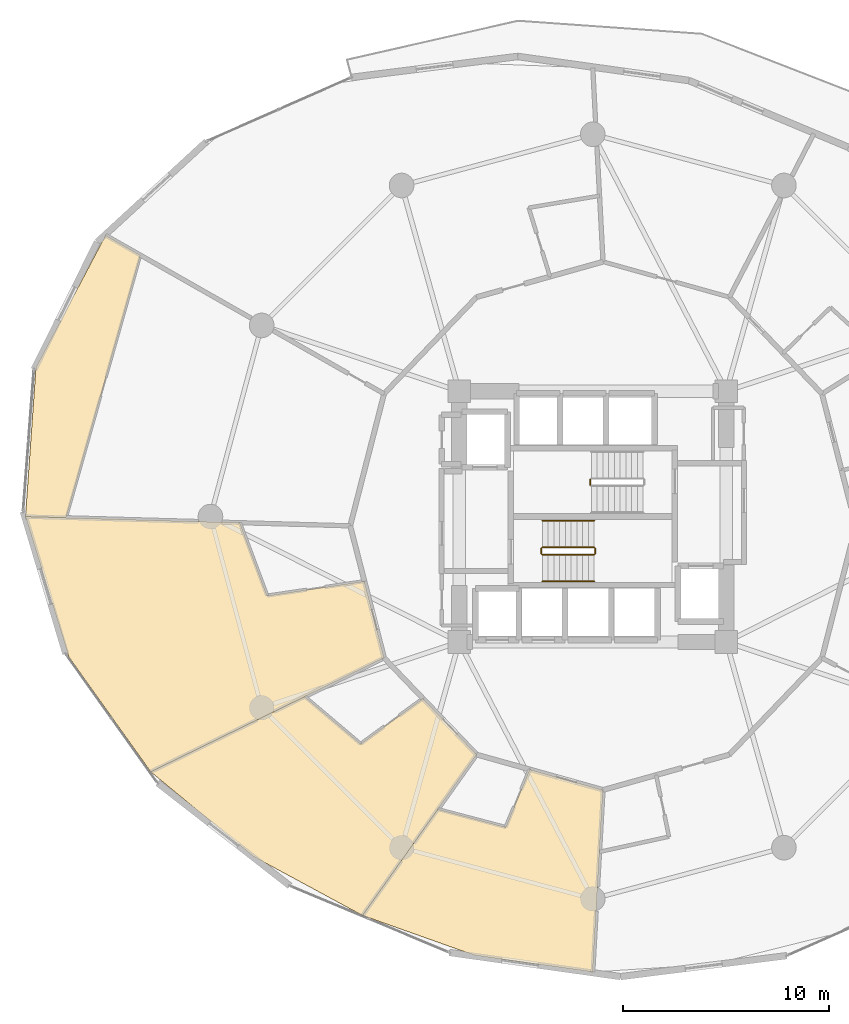
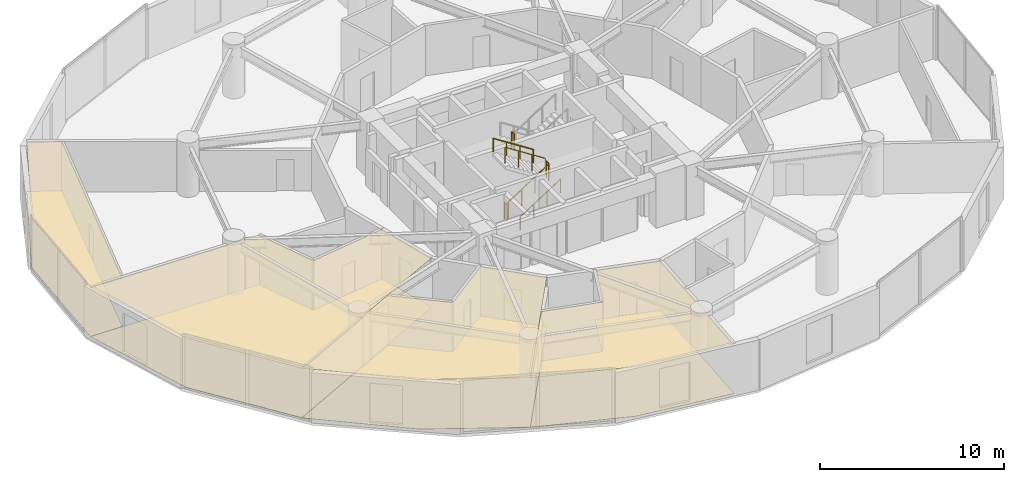
# One storey, part 23 of 25: 8 coverings, 7 railings.
"""IFC4 building model written with IfcOpenShell, lengths in metres."""

import ifcopenshell
import ifcopenshell.guid

model = None  # the IFC model being written
_history = None  # IfcOwnerHistory: only IFC2X3 demands one
_inside = {}  # id of a spatial element -> (the spatial element, [elements in it])
_under = {}  # id of a project, library or spatial element -> (it, [spatial elements below it])
_declared = {}  # id of a project -> (the project, [libraries it declares])
_typed = {}  # id of a type object -> (the type object, [elements of that type])
_made_of = {}  # id of a material, layer set ... -> (it, [elements and type objects made of it])


def new_model(schema):
    """Start an empty IFC model of exactly this schema.

    Asked for "IFC4X3", IfcOpenShell would pick the latest addendum, in which some entities
    have other attributes; the version numbers below select the first issue.
    IFC2X3 requires an IfcOwnerHistory on every rooted entity: one is made here for all.
    """
    global model, _history
    if schema == "IFC4X3":
        model = ifcopenshell.file(schema_version=(4, 3, 0, 0))
    else:
        model = ifcopenshell.file(schema=schema)
    _inside.clear()
    _under.clear()
    _declared.clear()
    _typed.clear()
    _made_of.clear()
    _history = None
    if model.schema == "IFC2X3":
        org = make("IfcOrganization", Name="unknown")
        user = make(
            "IfcPersonAndOrganization",
            ThePerson=make("IfcPerson", FamilyName="unknown"),
            TheOrganization=org,
        )
        app = make(
            "IfcApplication",
            ApplicationDeveloper=org,
            Version="unknown",
            ApplicationFullName="unknown",
            ApplicationIdentifier="unknown",
        )
        _history = make(
            "IfcOwnerHistory",
            OwningUser=user,
            OwningApplication=app,
            ChangeAction="ADDED",
            CreationDate=0,
        )
    return model


def make(cls, **values):
    """One entity of the class cls with the attributes given. An attribute that is None is left unset."""
    return model.create_entity(
        cls, **{name: value for name, value in values.items() if value is not None}
    )


def rooted(cls, **values):
    """An entity with a GlobalId (a new one), such as an element, a storey or a relation."""
    return make(cls, GlobalId=ifcopenshell.guid.new(), OwnerHistory=_history, **values)


def si_unit(unit_type, name, prefix=None):
    """IfcSIUnit, for example si_unit("LENGTHUNIT", "METRE", prefix="MILLI")."""
    return make("IfcSIUnit", UnitType=unit_type, Prefix=prefix, Name=name)


def assignment(units):
    """IfcUnitAssignment: the units of a project."""
    return None if units is None else make("IfcUnitAssignment", Units=units)


def point(xyz):
    """IfcCartesianPoint."""
    return None if xyz is None else make("IfcCartesianPoint", Coordinates=xyz)


def direction(xyz):
    """IfcDirection."""
    return None if xyz is None else make("IfcDirection", DirectionRatios=xyz)


def frame(location, z_axis=None, x_axis=None):
    """IfcAxis2Placement3D, a coordinate frame: its origin and axes. An axis left out is left unset."""
    return make(
        "IfcAxis2Placement3D",
        Location=point(location),
        Axis=direction(z_axis),
        RefDirection=direction(x_axis),
    )


def frame_2d(location, x_axis=None):
    """IfcAxis2Placement2D, a coordinate frame in the plane: its origin and x axis."""
    return make(
        "IfcAxis2Placement2D", Location=point(location), RefDirection=direction(x_axis)
    )


def origin():
    """The frame at (0, 0, 0) with its axes left unset."""
    return frame((0.0, 0.0, 0.0))


def origin_2d():
    """The frame at (0, 0) in the plane with its x axis left unset."""
    return frame_2d((0.0, 0.0))


def place(relative_to, where):
    """IfcLocalPlacement: puts the frame where relative to a parent placement (None: the world)."""
    return make(
        "IfcLocalPlacement", PlacementRelTo=relative_to, RelativePlacement=where
    )


def context(
    kind, dimensions, precision=None, world=None, true_north=None, identifier=None
):
    """IfcGeometricRepresentationContext, for example the 3D "Model" context."""
    return make(
        "IfcGeometricRepresentationContext",
        ContextIdentifier=identifier,
        ContextType=kind,
        CoordinateSpaceDimension=dimensions,
        Precision=precision,
        WorldCoordinateSystem=world,
        TrueNorth=true_north,
    )


def subcontext(parent, identifier, kind, view, scale=None):
    """IfcGeometricRepresentationSubContext, for example "Body" below "Model"."""
    return make(
        "IfcGeometricRepresentationSubContext",
        ContextIdentifier=identifier,
        ContextType=kind,
        ParentContext=parent,
        TargetScale=scale,
        TargetView=view,
    )


def project(units=None, contexts=None):
    """IfcProject with its units and contexts."""
    return rooted(
        "IfcProject",
        Name="project",
        RepresentationContexts=contexts,
        UnitsInContext=assignment(units),
    )


def spatial(cls, under=None, at=None, **own):
    """A site, building, storey or space (cls), placed at a placement, below another one or the project."""
    s = rooted(cls, ObjectPlacement=at, **own)
    if under is not None:
        _under.setdefault(under.id(), (under, []))[1].append(s)
    return s


def polyline(points):
    """IfcPolyline through the points."""
    return make("IfcPolyline", Points=[point(p) for p in points])


def profile(cls, at=None, kind="AREA", **sizes):
    """A parametric profile (cls). Its sizes go by their IFC names, for example OverallWidth=200.0."""
    return make(cls, ProfileType=kind, Position=at, **sizes)


def circle(**sizes):
    """IfcCircleProfileDef."""
    return profile("IfcCircleProfileDef", **sizes)


def outline(outer, holes=None, kind="AREA"):
    """IfcArbitraryClosedProfileDef: a profile drawn as a closed curve; with holes, ...WithVoids."""
    if holes is None:
        return make("IfcArbitraryClosedProfileDef", ProfileType=kind, OuterCurve=outer)
    return make(
        "IfcArbitraryProfileDefWithVoids",
        ProfileType=kind,
        OuterCurve=outer,
        InnerCurves=holes,
    )


def extrude(swept, where, along, depth):
    """IfcExtrudedAreaSolid: the profile swept, set in the frame where, extruded along a direction by depth."""
    return make(
        "IfcExtrudedAreaSolid",
        SweptArea=swept,
        Position=where,
        ExtrudedDirection=direction(along),
        Depth=depth,
    )


def shape(context_of_items, identifier, shape_type, items):
    """IfcShapeRepresentation: the items that make up one representation, for example the "Body"."""
    return make(
        "IfcShapeRepresentation",
        ContextOfItems=context_of_items,
        RepresentationIdentifier=identifier,
        RepresentationType=shape_type,
        Items=items,
    )


def material(Name=None, Category=None):
    """IfcMaterial."""
    return make("IfcMaterial", Name=Name, Category=Category)


def layer(
    of_material, thickness, ventilated=None, Name=None, Category=None, Priority=None
):
    """IfcMaterialLayer: one layer of a wall or slab, of a material (None: an air gap)."""
    return make(
        "IfcMaterialLayer",
        Material=of_material,
        LayerThickness=thickness,
        IsVentilated=ventilated,
        Name=Name,
        Category=Category,
        Priority=Priority,
    )


def layer_set(layers, Name=None):
    """IfcMaterialLayerSet."""
    return make("IfcMaterialLayerSet", MaterialLayers=layers, LayerSetName=Name)


def made_of(thing, what):
    """Note that an element or type object is made of a material, layer set ...; save() writes the relation."""
    if what is not None:
        _made_of.setdefault(what.id(), (what, []))[1].append(thing)
    return thing


def type_object(cls, material=None, **own):
    """A type object (cls), such as IfcWallType, which elements share."""
    return made_of(rooted(cls, **own), material)


def element(
    cls,
    number,
    at=None,
    inside=None,
    cuts=None,
    type_object=None,
    material=None,
    context=None,
    identifier="Body",
    shape_type=None,
    held_by="IfcProductDefinitionShape",
    body=None,
    shapes=None,
    **own,
):
    """One element of the class cls, such as IfcWall. Its Tag is "e" and its number.

    at: its placement. inside: the storey or other place that contains it. cuts: it is an
    opening in that element (IfcRelVoidsElement). A single representation is given by context,
    identifier, shape_type and body (its items); several are given by shapes. held_by: the class
    of the entity that holds the representations. save() writes the other relations.
    """
    e = rooted(cls, Tag="e%d" % number, ObjectPlacement=at, **own)
    if body is not None:
        shapes = [shape(context, identifier, shape_type, body)]
    if shapes is not None:
        e.Representation = make(held_by, Representations=shapes)
    if inside is not None:
        _inside.setdefault(inside.id(), (inside, []))[1].append(e)
    if cuts is not None:
        rooted(
            "IfcRelVoidsElement", RelatingBuildingElement=cuts, RelatedOpeningElement=e
        )
    if type_object is not None:
        _typed.setdefault(type_object.id(), (type_object, []))[1].append(e)
    return made_of(e, material)


def aggregate(whole, parts):
    """IfcRelAggregates: a whole, such as a stair, and the parts it consists of."""
    return rooted("IfcRelAggregates", RelatingObject=whole, RelatedObjects=parts)


def save(model, path):
    """Write the relations noted so far, then the file.

    IfcRelAggregates (storeys below a building ...), IfcRelContainedInSpatialStructure (elements
    in a storey), IfcRelDefinesByType, IfcRelAssociatesMaterial and IfcRelDeclares: one each for
    every whole, place, type object, material and project.
    """
    for whole, parts in _under.values():
        aggregate(whole, parts)
    for where, things in _inside.values():
        rooted(
            "IfcRelContainedInSpatialStructure",
            RelatedElements=things,
            RelatingStructure=where,
        )
    for kind, things in _typed.values():
        rooted("IfcRelDefinesByType", RelatedObjects=things, RelatingType=kind)
    for what, things in _made_of.values():
        rooted("IfcRelAssociatesMaterial", RelatedObjects=things, RelatingMaterial=what)
    for by, libraries in _declared.values():
        rooted("IfcRelDeclares", RelatingContext=by, RelatedDefinitions=libraries)
    model.write(path)


model = new_model("IFC4")

# Units and contexts
model_context = context("Model", 3, precision=1e-05, world=origin(), true_north=direction((0.0, 1.0)))
body_context = subcontext(model_context, "Body", "Model", "MODEL_VIEW")
ifc_project = project(units=[si_unit("LENGTHUNIT", "METRE"), si_unit("AREAUNIT", "SQUARE_METRE"), si_unit("VOLUMEUNIT", "CUBIC_METRE"), si_unit("PLANEANGLEUNIT", "RADIAN"), si_unit("MASSUNIT", "GRAM", prefix="KILO")], contexts=[model_context])

# Site, building, storey
site_placement = place(None, origin())
site = spatial("IfcSite", under=ifc_project, at=site_placement, CompositionType="ELEMENT")
building_placement = place(site_placement, origin())
building = spatial("IfcBuilding", under=site, at=building_placement, Name="Solvirekh Grand Hotel", CompositionType="ELEMENT")
storey_placement = place(building_placement, frame((0.0, 0.0, 60.800048828125)))
storey = spatial("IfcBuildingStorey", under=building, at=storey_placement, Name="L14", CompositionType="ELEMENT", Elevation=60.800048828125)

# Coverings
ifc_material_1 = material(Name="Acoustic Mineral Ceiling Tile")
ifc_layer_1 = layer(ifc_material_1, 0.02490234375)
ifc_layer_set_1 = layer_set([ifc_layer_1], Name="Acoustic Mineral Ceiling Tile")
covering_type_1 = type_object("IfcCoveringType", Name="Cov_Ceiling_Acoustic", PredefinedType="CEILING", material=ifc_layer_set_1)
covering_1_placement = place(storey_placement, frame((0.0, 0.0, 3.2900390625)))
element("IfcCovering", 1, at=covering_1_placement, inside=storey, type_object=covering_type_1, Name="L14 Diplomatic Suite 1601 Master Bedroom acoustic ceiling", PredefinedType="CEILING", context=body_context, shape_type="SweptSolid", body=[
    extrude(outline(polyline([(-23.699951171875, 13.68310546875), (-27.089111328125, 7.259033203125), (-27.597900390625, 0.0), (-25.623046875, -0.055908203125), (-22.006103515625, 12.719970703125), (-23.699951171875, 13.68310546875)])), origin(), (0.0, 0.0, 1.0), 0.017822265625),
])
covering_2_placement = place(storey_placement, frame((0.0, 0.0, 3.2900390625)))
element("IfcCovering", 2, at=covering_2_placement, inside=storey, type_object=covering_type_1, Name="L14 Deluxe Guestroom 1602 acoustic ceiling", PredefinedType="CEILING", context=body_context, shape_type="SweptSolid", body=[
    extrude(outline(polyline([(-15.844970703125, -3.85107421875), (-17.1708984375, -0.297119140625), (-27.597900390625, 0.0), (-25.488037109375, -6.8291015625), (-21.506103515625, -12.416015625), (-10.152099609375, -6.875), (-11.10791015625, -3.14794921875), (-15.844970703125, -3.85107421875)])), origin(), (0.0, 0.0, 1.0), 0.017822265625),
])
covering_3_placement = place(storey_placement, frame((0.0, 0.0, 3.2900390625)))
element("IfcCovering", 3, at=covering_3_placement, inside=storey, type_object=covering_type_1, Name="L14 Deluxe Guestroom 1603 acoustic ceiling", PredefinedType="CEILING", context=body_context, shape_type="SweptSolid", body=[
    extrude(outline(polyline([(-11.29296875, -11.06005859375), (-14.011962890625, -8.759033203125), (-21.506103515625, -12.416015625), (-16.52490234375, -16.52490234375), (-11.201904296875, -19.403076171875), (-5.64990234375, -11.577880859375), (-8.260986328125, -8.85009765625), (-11.29296875, -11.06005859375)])), origin(), (0.0, 0.0, 1.0), 0.017822265625),
])
covering_4_placement = place(storey_placement, frame((0.0, 0.0, 3.2900390625)))
element("IfcCovering", 4, at=covering_4_placement, inside=storey, type_object=covering_type_1, Name="L14 Deluxe Guestroom 1604 acoustic ceiling", PredefinedType="CEILING", context=body_context, shape_type="SweptSolid", body=[
    extrude(outline(polyline([(-4.23291015625, -15.10888671875), (-7.5380859375, -14.238037109375), (-11.201904296875, -19.403076171875), (-5.720947265625, -21.35107421875), (0.0, -22.156005859375), (0.5, -13.300048828125), (-3.06689453125, -12.301025390625), (-4.23291015625, -15.10888671875)])), origin(), (0.0, 0.0, 1.0), 0.017822265625),
])
ifc_material_2 = material(Name="Porcelain Stoneware Flooring", Category="masonry")
ifc_layer_2 = layer(ifc_material_2, 0.030029296875)
ifc_layer_set_2 = layer_set([ifc_layer_2], Name="Porcelain Stoneware Flooring")
covering_type_2 = type_object("IfcCoveringType", Name="Cov_Floor_Stone", PredefinedType="FLOORING", material=ifc_layer_set_2)
covering_5_placement = place(storey_placement, origin())
element("IfcCovering", 5, at=covering_5_placement, inside=storey, type_object=covering_type_2, Name="L14 Diplomatic Suite 1601 Master Bedroom polished granite flooring", PredefinedType="FLOORING", context=body_context, shape_type="SweptSolid", body=[
    extrude(outline(polyline([(-23.699951171875, 13.68310546875), (-27.089111328125, 7.259033203125), (-27.597900390625, 0.0), (-25.623046875, -0.055908203125), (-22.006103515625, 12.719970703125), (-23.699951171875, 13.68310546875)])), origin(), (0.0, 0.0, 1.0), 0.02001953125),
])
covering_6_placement = place(storey_placement, origin())
element("IfcCovering", 6, at=covering_6_placement, inside=storey, type_object=covering_type_2, Name="L14 Deluxe Guestroom 1602 polished granite flooring", PredefinedType="FLOORING", context=body_context, shape_type="SweptSolid", body=[
    extrude(outline(polyline([(-15.844970703125, -3.85107421875), (-17.1708984375, -0.297119140625), (-27.597900390625, 0.0), (-25.488037109375, -6.8291015625), (-21.506103515625, -12.416015625), (-10.152099609375, -6.875), (-11.10791015625, -3.14794921875), (-15.844970703125, -3.85107421875)])), origin(), (0.0, 0.0, 1.0), 0.02001953125),
])
covering_7_placement = place(storey_placement, origin())
element("IfcCovering", 7, at=covering_7_placement, inside=storey, type_object=covering_type_2, Name="L14 Deluxe Guestroom 1603 polished granite flooring", PredefinedType="FLOORING", context=body_context, shape_type="SweptSolid", body=[
    extrude(outline(polyline([(-11.29296875, -11.06005859375), (-14.011962890625, -8.759033203125), (-21.506103515625, -12.416015625), (-16.52490234375, -16.52490234375), (-11.201904296875, -19.403076171875), (-5.64990234375, -11.577880859375), (-8.260986328125, -8.85009765625), (-11.29296875, -11.06005859375)])), origin(), (0.0, 0.0, 1.0), 0.02001953125),
])
covering_8_placement = place(storey_placement, origin())
element("IfcCovering", 8, at=covering_8_placement, inside=storey, type_object=covering_type_2, Name="L14 Deluxe Guestroom 1604 polished granite flooring", PredefinedType="FLOORING", context=body_context, shape_type="SweptSolid", body=[
    extrude(outline(polyline([(-4.23291015625, -15.10888671875), (-7.5380859375, -14.238037109375), (-11.201904296875, -19.403076171875), (-5.720947265625, -21.35107421875), (0.0, -22.156005859375), (0.5, -13.300048828125), (-3.06689453125, -12.301025390625), (-4.23291015625, -15.10888671875)])), origin(), (0.0, 0.0, 1.0), 0.02001953125),
])

# Railings
ifc_material_3 = material(Name="Steel S355", Category="steel")
railing_type_1 = type_object("IfcRailingType", Name="Guard_Stair_1100", PredefinedType="GUARDRAIL", material=ifc_material_3)
railing_1_placement = place(storey_placement, frame((-2.449951171875, -1.85009765625, 0.179931640625)))
element("IfcRailing", 9, at=railing_1_placement, inside=storey, type_object=railing_type_1, Name="L14 ST-1 stair guard 1", PredefinedType="GUARDRAIL", context=body_context, shape_type="SweptSolid", body=[
    extrude(circle(Radius=0.02392578125, at=origin_2d()), frame((0.0, 0.0, 1.076171875), z_axis=(0.841162588446, 0.0, 0.540782303519), x_axis=(0.0, 1.0, 0.0)), (0.0, 0.0, 1.0), 2.995849609375),
    extrude(circle(Radius=0.02099609375, at=origin_2d()), origin(), (0.0, 0.0, 1.0), 1.052001953125),
    extrude(circle(Radius=0.02099609375, at=origin_2d()), frame((0.840087890625, 0.0, 0.5400390625)), (0.0, 0.0, 1.0), 1.052001953125),
    extrude(circle(Radius=0.02099609375, at=origin_2d()), frame((1.679931640625, 0.0, 1.080078125)), (0.0, 0.0, 1.0), 1.052001953125),
    extrude(circle(Radius=0.02099609375, at=origin_2d()), frame((2.52001953125, 0.0, 1.6201171875)), (0.0, 0.0, 1.0), 1.052001953125),
])
railing_2_placement = place(storey_placement, frame((0.1201171875, -1.800048828125, 1.800048828125)))
element("IfcRailing", 10, at=railing_2_placement, inside=storey, type_object=railing_type_1, Name="L14 ST-1 stair guard 2", PredefinedType="GUARDRAIL", context=body_context, shape_type="SweptSolid", body=[
    extrude(circle(Radius=0.02392578125, at=origin_2d()), frame((0.0, 0.0, 1.076171875), z_axis=(0.0, 1.0, 0.0), x_axis=(-1.0, 0.0, 0.0)), (0.0, 0.0, 1.0), 0.25),
    extrude(circle(Radius=0.02099609375, at=origin_2d()), origin(), (0.0, 0.0, 1.0), 1.052001953125),
    extrude(circle(Radius=0.02099609375, at=origin_2d()), frame((0.0, 0.25, 0.0)), (0.0, 0.0, 1.0), 1.052001953125),
])
railing_3_placement = place(storey_placement, frame((0.070068359375, -1.5, 1.97998046875)))
element("IfcRailing", 11, at=railing_3_placement, inside=storey, type_object=railing_type_1, Name="L14 ST-1 stair guard 3", PredefinedType="GUARDRAIL", context=body_context, shape_type="SweptSolid", body=[
    extrude(circle(Radius=0.02392578125, at=origin_2d()), frame((0.0, 0.0, 1.076171875), z_axis=(-0.841199657755, 0.0, 0.540724639528), x_axis=(0.0, -1.0, 0.0)), (0.0, 0.0, 1.0), 2.995849609375),
    extrude(circle(Radius=0.02099609375, at=origin_2d()), origin(), (0.0, 0.0, 1.0), 1.052001953125),
    extrude(circle(Radius=0.02099609375, at=origin_2d()), frame((-0.840087890625, 0.0, 0.5400390625)), (0.0, 0.0, 1.0), 1.052001953125),
    extrude(circle(Radius=0.02099609375, at=origin_2d()), frame((-1.679931640625, 0.0, 1.079833984375)), (0.0, 0.0, 1.0), 1.052001953125),
    extrude(circle(Radius=0.02099609375, at=origin_2d()), frame((-2.52001953125, 0.0, 1.619873046875)), (0.0, 0.0, 1.0), 1.052001953125),
])
railing_4_placement = place(storey_placement, frame((-2.5, -1.800048828125, 0.0)))
element("IfcRailing", 12, at=railing_4_placement, inside=storey, type_object=railing_type_1, Name="L14 ST-1 stair guard 4", PredefinedType="GUARDRAIL", context=body_context, shape_type="SweptSolid", body=[
    extrude(circle(Radius=0.02392578125, at=origin_2d()), frame((0.0, 0.0, 1.076171875), z_axis=(0.0, 1.0, 0.0), x_axis=(-1.0, 0.0, 0.0)), (0.0, 0.0, 1.0), 0.25),
    extrude(circle(Radius=0.02099609375, at=origin_2d()), origin(), (0.0, 0.0, 1.0), 1.052001953125),
    extrude(circle(Radius=0.02099609375, at=origin_2d()), frame((0.0, 0.25, 0.0)), (0.0, 0.0, 1.0), 1.052001953125),
])
railing_5_placement = place(storey_placement, frame((-0.1201171875, 1.800048828125, 1.800048828125)))
element("IfcRailing", 13, at=railing_5_placement, inside=storey, type_object=railing_type_1, Name="L14 ST-2 stair guard 2", PredefinedType="GUARDRAIL", context=body_context, shape_type="SweptSolid", body=[
    extrude(circle(Radius=0.02392578125, at=origin_2d()), frame((0.0, 0.0, 1.076171875), z_axis=(0.0, -1.0, 0.0), x_axis=(1.0, 0.0, 0.0)), (0.0, 0.0, 1.0), 0.25),
    extrude(circle(Radius=0.02099609375, at=origin_2d()), origin(), (0.0, 0.0, 1.0), 1.052001953125),
    extrude(circle(Radius=0.02099609375, at=origin_2d()), frame((0.0, -0.25, 0.0)), (0.0, 0.0, 1.0), 1.052001953125),
])
ifc_material_4 = material(Name="Anodized Bronze Aluminium 6063-T6", Category="aluminium")
railing_type_2 = type_object("IfcRailingType", Name="Handrail_Wall_900", PredefinedType="HANDRAIL", material=ifc_material_4)
railing_6_placement = place(storey_placement, frame((-2.449951171875, -3.14990234375, 0.179931640625)))
element("IfcRailing", 14, at=railing_6_placement, inside=storey, type_object=railing_type_2, Name="L14 ST-1 stair handrail 1", PredefinedType="HANDRAIL", context=body_context, shape_type="SweptSolid", body=[
    extrude(circle(Radius=0.02392578125, at=origin_2d()), frame((0.0, 0.0, 0.8759765625), z_axis=(0.841162588446, 0.0, 0.540782303519), x_axis=(0.0, 1.0, 0.0)), (0.0, 0.0, 1.0), 2.995849609375),
    extrude(circle(Radius=0.02099609375, at=origin_2d()), origin(), (0.0, 0.0, 1.0), 0.851806640625),
    extrude(circle(Radius=0.02099609375, at=origin_2d()), frame((0.840087890625, 0.0, 0.5400390625)), (0.0, 0.0, 1.0), 0.851806640625),
    extrude(circle(Radius=0.02099609375, at=origin_2d()), frame((1.679931640625, 0.0, 1.080078125)), (0.0, 0.0, 1.0), 0.851806640625),
    extrude(circle(Radius=0.02099609375, at=origin_2d()), frame((2.52001953125, 0.0, 1.6201171875)), (0.0, 0.0, 1.0), 0.851806640625),
])
railing_7_placement = place(storey_placement, frame((0.070068359375, -0.199951171875, 1.97998046875)))
element("IfcRailing", 15, at=railing_7_placement, inside=storey, type_object=railing_type_2, Name="L14 ST-1 stair handrail 2", PredefinedType="HANDRAIL", context=body_context, shape_type="SweptSolid", body=[
    extrude(circle(Radius=0.02392578125, at=origin_2d()), frame((0.0, 0.0, 0.8759765625), z_axis=(-0.841199657755, 0.0, 0.540724639528), x_axis=(0.0, -1.0, 0.0)), (0.0, 0.0, 1.0), 2.995849609375),
    extrude(circle(Radius=0.02099609375, at=origin_2d()), origin(), (0.0, 0.0, 1.0), 0.851806640625),
    extrude(circle(Radius=0.02099609375, at=origin_2d()), frame((-0.840087890625, 0.0, 0.5400390625)), (0.0, 0.0, 1.0), 0.851806640625),
    extrude(circle(Radius=0.02099609375, at=origin_2d()), frame((-1.679931640625, 0.0, 1.079833984375)), (0.0, 0.0, 1.0), 0.851806640625),
    extrude(circle(Radius=0.02099609375, at=origin_2d()), frame((-2.52001953125, 0.0, 1.619873046875)), (0.0, 0.0, 1.0), 0.851806640625),
])

save(model, "model.ifc")
